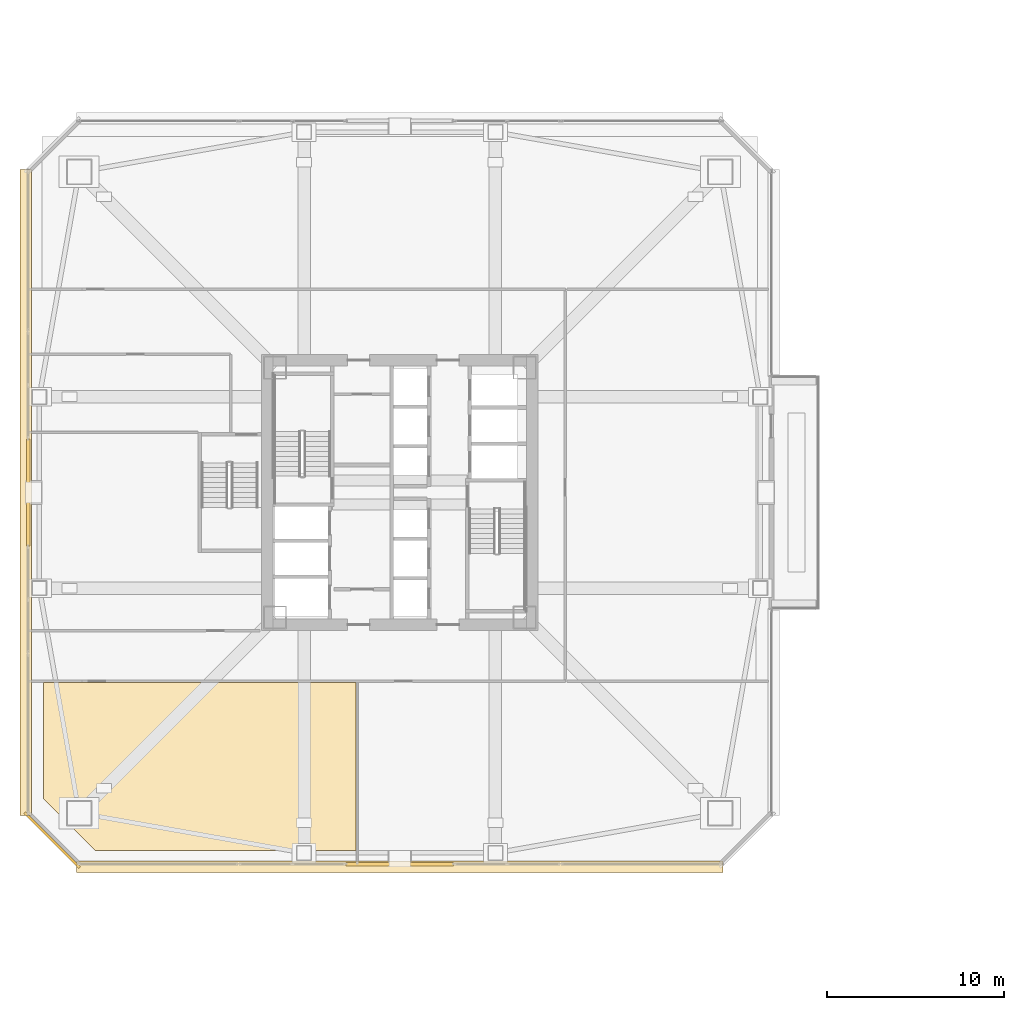
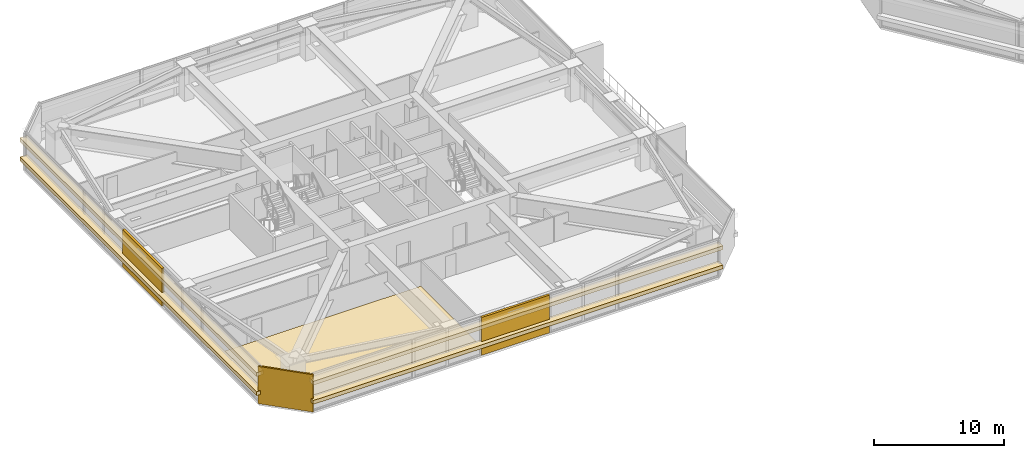
# One storey, part 43 of 49: 8 coverings.
"""IFC4 building model written with IfcOpenShell, lengths in metres."""

from ifc_helpers import new_model, si_unit, direction, frame, origin, origin_2d, place, context, subcontext, project, spatial, polyline, rectangle, outline, extrude, material, layer, layer_set, type_object, element, save


model = new_model("IFC4")

# Units and contexts
model_context = context("Model", 3, precision=1e-05, world=origin(), true_north=direction((0.0, 1.0)))
body_context = subcontext(model_context, "Body", "Model", "MODEL_VIEW")
ifc_project = project(units=[si_unit("LENGTHUNIT", "METRE"), si_unit("AREAUNIT", "SQUARE_METRE"), si_unit("VOLUMEUNIT", "CUBIC_METRE"), si_unit("PLANEANGLEUNIT", "RADIAN"), si_unit("MASSUNIT", "GRAM", prefix="KILO")], contexts=[model_context])

# Site, building, storey
site_placement = place(None, origin())
site = spatial("IfcSite", under=ifc_project, at=site_placement, CompositionType="ELEMENT")
building_placement = place(site_placement, origin())
building = spatial("IfcBuilding", under=site, at=building_placement, Name="Tashvorn Skyway Center", CompositionType="ELEMENT")
storey_placement = place(building_placement, frame((0.0, 0.0, 106.25)))
storey = spatial("IfcBuildingStorey", under=building, at=storey_placement, Name="L28", CompositionType="ELEMENT", Elevation=106.25)

# Coverings
ifc_material_1 = material(Name="Precast concrete C40/50", Category="concrete")
ifc_layer_1 = layer(ifc_material_1, 0.199951171875)
ifc_layer_set_1 = layer_set([ifc_layer_1], Name="Precast concrete C40/50")
covering_type_1 = type_object("IfcCoveringType", Name="COV-BRACE-CLAD", PredefinedType="CLADDING", material=ifc_layer_set_1)
for number, where, z_axis, x_axis, name in (
    (1, (42.0, 11.02001953125, 0.0), (0.0, 0.0, 1.0), (-1.0, 0.0, 0.0), "Tower 1 L28 South Unitised Curtain Wall Mega-Brace Cladding Band 1"),
    (2, (21.02001953125, 32.0, 0.0), (0.0, 0.0, 1.0), (0.0, 1.0, 0.0), "Tower 1 L28 West Unitised Curtain Wall Mega-Brace Cladding Band 1"),
):
    element("IfcCovering", number, at=place(storey_placement, frame(where, z_axis=z_axis, x_axis=x_axis)), inside=storey, type_object=covering_type_1, Name=name, PredefinedType="CLADDING", context=body_context, shape_type="SweptSolid", body=[
        extrude(rectangle(XDim=6.06005859375, YDim=0.199951171875, at=origin_2d()), origin(), (0.0, 0.0, 1.0), 3.550048828125),
    ])
ifc_material_2 = material(Name="Polished Mojave desert-aggregate terrazzo and cover plate")
ifc_layer_2 = layer(ifc_material_2, 0.0400390625)
ifc_layer_set_2 = layer_set([ifc_layer_2], Name="Polished Mojave desert-aggregate terrazzo and cover plate")
covering_type_2 = type_object("IfcCoveringType", Name="COV-FLR-40", PredefinedType="FLOORING", material=ifc_layer_set_2)
covering_1_placement = place(storey_placement, origin())
element("IfcCovering", 3, at=covering_1_placement, inside=storey, type_object=covering_type_2, Name="Tower 1 L28 Operations Control Room Finish Flooring", PredefinedType="FLOORING", context=body_context, shape_type="SweptSolid", body=[
    extrude(outline(polyline([(24.800048828125, 11.800048828125), (21.8798828125, 14.719970703125), (21.8798828125, 21.27001953125), (39.52001953125, 21.27001953125), (39.52001953125, 11.800048828125), (24.800048828125, 11.800048828125)])), origin(), (0.0, 0.0, 1.0), 0.0400390625),
])
ifc_material_3 = material(Name="Perforated ceramic-coated bronze aluminium solar screen", Category="aluminium")
ifc_layer_3 = layer(ifc_material_3, 0.85009765625)
ifc_layer_set_3 = layer_set([ifc_layer_3], Name="Perforated ceramic-coated bronze aluminium solar screen")
covering_type_3 = type_object("IfcCoveringType", Name="COV-SOLAR-BAND", PredefinedType="CLADDING", material=ifc_layer_set_3)
for number, where, z_axis, x_axis, name in (
    (4, (42.0, 10.8798828125, 0.919921875), (0.0, 0.0, 1.0), (-1.0, 0.0, 0.0), "L28 Perforated Ceramic-Metal Solar Screen Louvre Band South 1"),
    (5, (42.0, 10.8798828125, 2.7197265625), (0.0, 0.0, 1.0), (-1.0, 0.0, 0.0), "L28 Perforated Ceramic-Metal Solar Screen Louvre Band South 2"),
    (6, (20.8798828125, 32.0, 0.919921875), (0.0, 0.0, 1.0), (0.0, 1.0, 0.0), "L28 Perforated Ceramic-Metal Solar Screen Louvre Band West 1"),
    (7, (20.8798828125, 32.0, 2.7197265625), (0.0, 0.0, 1.0), (0.0, 1.0, 0.0), "L28 Perforated Ceramic-Metal Solar Screen Louvre Band West 2"),
):
    element("IfcCovering", number, at=place(storey_placement, frame(where, z_axis=z_axis, x_axis=x_axis)), inside=storey, type_object=covering_type_3, Name=name, PredefinedType="CLADDING", context=body_context, shape_type="SweptSolid", body=[
        extrude(rectangle(XDim=36.47998046875, YDim=0.639892578125, at=origin_2d()), origin(), (0.0, 0.0, 1.0), 0.360107421875),
    ])
ifc_layer_4 = layer(ifc_material_1, 0.35009765625)
ifc_layer_set_4 = layer_set([ifc_layer_4], Name="Precast concrete C40/50")
covering_type_4 = type_object("IfcCoveringType", Name="COV-STONE-TRIM", PredefinedType="CLADDING", material=ifc_layer_set_4)
covering_2_placement = place(storey_placement, frame((22.3798828125, 12.3798828125, 0.02001953125), z_axis=(0.0, 0.0, 1.0), x_axis=(-0.707106781187, 0.707106781187, 0.0)))
element("IfcCovering", 8, at=covering_2_placement, inside=storey, type_object=covering_type_4, Name="Tower 1 L28 SW Mojave Limestone Corner Quoin", PredefinedType="CLADDING", context=body_context, shape_type="SweptSolid", body=[
    extrude(rectangle(XDim=4.402587890625, YDim=0.139892578125, at=origin_2d()), origin(), (0.0, 0.0, 1.0), 3.510009765625),
])

save(model, "model.ifc")
